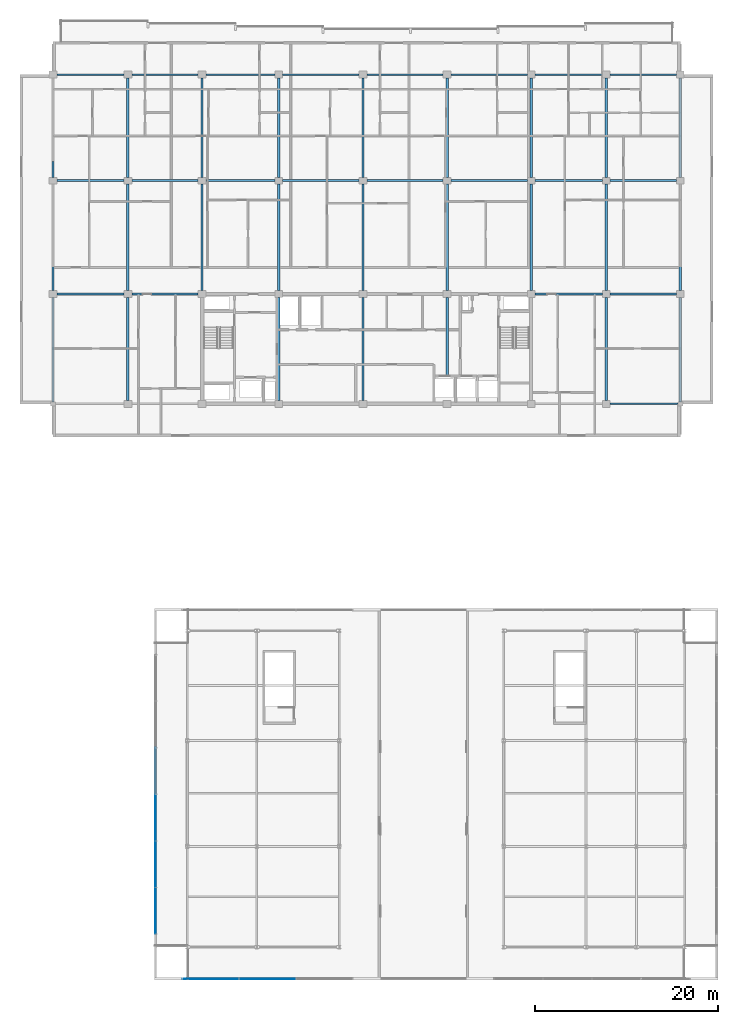
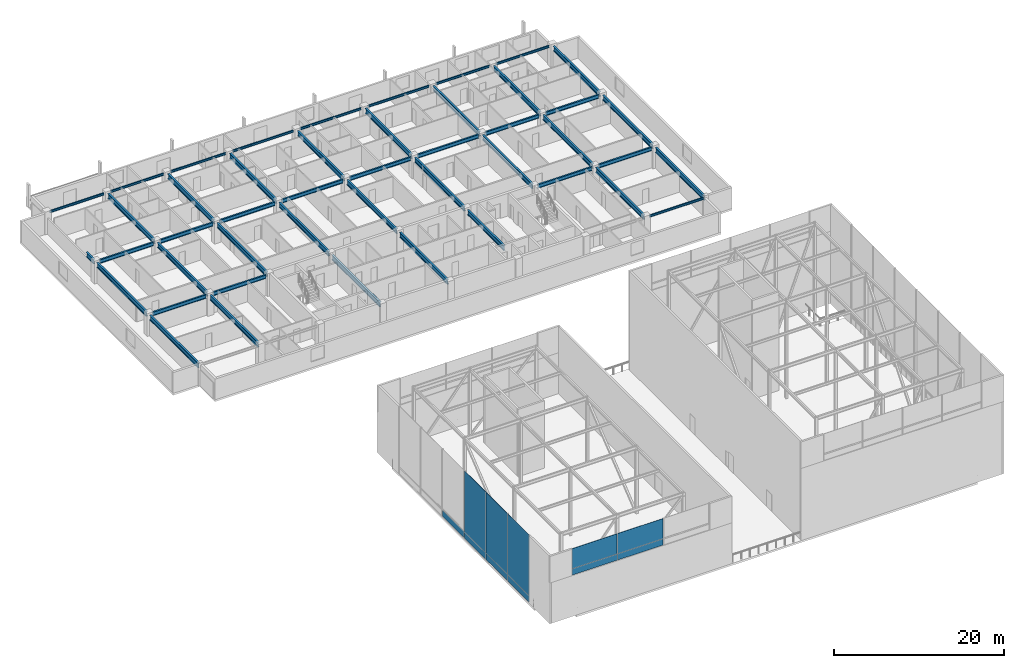
# One storey, part 29 of 42: 46 beams, 11 plates, 2 elements without a shape of their own.
"""IFC4 building model written with IfcOpenShell, lengths in metres."""

import ifcopenshell
import ifcopenshell.guid

model = None  # the IFC model being written
_history = None  # IfcOwnerHistory: only IFC2X3 demands one
_inside = {}  # id of a spatial element -> (the spatial element, [elements in it])
_under = {}  # id of a project, library or spatial element -> (it, [spatial elements below it])
_declared = {}  # id of a project -> (the project, [libraries it declares])
_typed = {}  # id of a type object -> (the type object, [elements of that type])
_made_of = {}  # id of a material, layer set ... -> (it, [elements and type objects made of it])


def new_model(schema):
    """Start an empty IFC model of exactly this schema.

    Asked for "IFC4X3", IfcOpenShell would pick the latest addendum, in which some entities
    have other attributes; the version numbers below select the first issue.
    IFC2X3 requires an IfcOwnerHistory on every rooted entity: one is made here for all.
    """
    global model, _history
    if schema == "IFC4X3":
        model = ifcopenshell.file(schema_version=(4, 3, 0, 0))
    else:
        model = ifcopenshell.file(schema=schema)
    _inside.clear()
    _under.clear()
    _declared.clear()
    _typed.clear()
    _made_of.clear()
    _history = None
    if model.schema == "IFC2X3":
        org = make("IfcOrganization", Name="unknown")
        user = make(
            "IfcPersonAndOrganization",
            ThePerson=make("IfcPerson", FamilyName="unknown"),
            TheOrganization=org,
        )
        app = make(
            "IfcApplication",
            ApplicationDeveloper=org,
            Version="unknown",
            ApplicationFullName="unknown",
            ApplicationIdentifier="unknown",
        )
        _history = make(
            "IfcOwnerHistory",
            OwningUser=user,
            OwningApplication=app,
            ChangeAction="ADDED",
            CreationDate=0,
        )
    return model


def make(cls, **values):
    """One entity of the class cls with the attributes given. An attribute that is None is left unset."""
    return model.create_entity(
        cls, **{name: value for name, value in values.items() if value is not None}
    )


def rooted(cls, **values):
    """An entity with a GlobalId (a new one), such as an element, a storey or a relation."""
    return make(cls, GlobalId=ifcopenshell.guid.new(), OwnerHistory=_history, **values)


def si_unit(unit_type, name, prefix=None):
    """IfcSIUnit, for example si_unit("LENGTHUNIT", "METRE", prefix="MILLI")."""
    return make("IfcSIUnit", UnitType=unit_type, Prefix=prefix, Name=name)


def assignment(units):
    """IfcUnitAssignment: the units of a project."""
    return None if units is None else make("IfcUnitAssignment", Units=units)


def point(xyz):
    """IfcCartesianPoint."""
    return None if xyz is None else make("IfcCartesianPoint", Coordinates=xyz)


def direction(xyz):
    """IfcDirection."""
    return None if xyz is None else make("IfcDirection", DirectionRatios=xyz)


def frame(location, z_axis=None, x_axis=None):
    """IfcAxis2Placement3D, a coordinate frame: its origin and axes. An axis left out is left unset."""
    return make(
        "IfcAxis2Placement3D",
        Location=point(location),
        Axis=direction(z_axis),
        RefDirection=direction(x_axis),
    )


def frame_2d(location, x_axis=None):
    """IfcAxis2Placement2D, a coordinate frame in the plane: its origin and x axis."""
    return make(
        "IfcAxis2Placement2D", Location=point(location), RefDirection=direction(x_axis)
    )


def origin():
    """The frame at (0, 0, 0) with its axes left unset."""
    return frame((0.0, 0.0, 0.0))


def origin_2d():
    """The frame at (0, 0) in the plane with its x axis left unset."""
    return frame_2d((0.0, 0.0))


def place(relative_to, where):
    """IfcLocalPlacement: puts the frame where relative to a parent placement (None: the world)."""
    return make(
        "IfcLocalPlacement", PlacementRelTo=relative_to, RelativePlacement=where
    )


def context(
    kind, dimensions, precision=None, world=None, true_north=None, identifier=None
):
    """IfcGeometricRepresentationContext, for example the 3D "Model" context."""
    return make(
        "IfcGeometricRepresentationContext",
        ContextIdentifier=identifier,
        ContextType=kind,
        CoordinateSpaceDimension=dimensions,
        Precision=precision,
        WorldCoordinateSystem=world,
        TrueNorth=true_north,
    )


def subcontext(parent, identifier, kind, view, scale=None):
    """IfcGeometricRepresentationSubContext, for example "Body" below "Model"."""
    return make(
        "IfcGeometricRepresentationSubContext",
        ContextIdentifier=identifier,
        ContextType=kind,
        ParentContext=parent,
        TargetScale=scale,
        TargetView=view,
    )


def project(units=None, contexts=None):
    """IfcProject with its units and contexts."""
    return rooted(
        "IfcProject",
        Name="project",
        RepresentationContexts=contexts,
        UnitsInContext=assignment(units),
    )


def spatial(cls, under=None, at=None, **own):
    """A site, building, storey or space (cls), placed at a placement, below another one or the project."""
    s = rooted(cls, ObjectPlacement=at, **own)
    if under is not None:
        _under.setdefault(under.id(), (under, []))[1].append(s)
    return s


def profile(cls, at=None, kind="AREA", **sizes):
    """A parametric profile (cls). Its sizes go by their IFC names, for example OverallWidth=200.0."""
    return make(cls, ProfileType=kind, Position=at, **sizes)


def rectangle(**sizes):
    """IfcRectangleProfileDef."""
    return profile("IfcRectangleProfileDef", **sizes)


def i_section(**sizes):
    """IfcIShapeProfileDef."""
    return profile("IfcIShapeProfileDef", **sizes)


def extrude(swept, where, along, depth):
    """IfcExtrudedAreaSolid: the profile swept, set in the frame where, extruded along a direction by depth."""
    return make(
        "IfcExtrudedAreaSolid",
        SweptArea=swept,
        Position=where,
        ExtrudedDirection=direction(along),
        Depth=depth,
    )


def shape(context_of_items, identifier, shape_type, items):
    """IfcShapeRepresentation: the items that make up one representation, for example the "Body"."""
    return make(
        "IfcShapeRepresentation",
        ContextOfItems=context_of_items,
        RepresentationIdentifier=identifier,
        RepresentationType=shape_type,
        Items=items,
    )


def material(Name=None, Category=None):
    """IfcMaterial."""
    return make("IfcMaterial", Name=Name, Category=Category)


def layer(
    of_material, thickness, ventilated=None, Name=None, Category=None, Priority=None
):
    """IfcMaterialLayer: one layer of a wall or slab, of a material (None: an air gap)."""
    return make(
        "IfcMaterialLayer",
        Material=of_material,
        LayerThickness=thickness,
        IsVentilated=ventilated,
        Name=Name,
        Category=Category,
        Priority=Priority,
    )


def layer_set(layers, Name=None):
    """IfcMaterialLayerSet."""
    return make("IfcMaterialLayerSet", MaterialLayers=layers, LayerSetName=Name)


def material_profile(
    of_material, cross_section, Name=None, Category=None, Priority=None
):
    """IfcMaterialProfile: a cross section and its material."""
    return make(
        "IfcMaterialProfile",
        Name=Name,
        Material=of_material,
        Profile=cross_section,
        Priority=Priority,
        Category=Category,
    )


def profile_set(profiles, Name=None, composite=None):
    """IfcMaterialProfileSet."""
    return make(
        "IfcMaterialProfileSet",
        Name=Name,
        MaterialProfiles=profiles,
        CompositeProfile=composite,
    )


def made_of(thing, what):
    """Note that an element or type object is made of a material, layer set ...; save() writes the relation."""
    if what is not None:
        _made_of.setdefault(what.id(), (what, []))[1].append(thing)
    return thing


def type_object(cls, material=None, **own):
    """A type object (cls), such as IfcWallType, which elements share."""
    return made_of(rooted(cls, **own), material)


def element(
    cls,
    number,
    at=None,
    inside=None,
    cuts=None,
    type_object=None,
    material=None,
    context=None,
    identifier="Body",
    shape_type=None,
    held_by="IfcProductDefinitionShape",
    body=None,
    shapes=None,
    **own,
):
    """One element of the class cls, such as IfcWall. Its Tag is "e" and its number.

    at: its placement. inside: the storey or other place that contains it. cuts: it is an
    opening in that element (IfcRelVoidsElement). A single representation is given by context,
    identifier, shape_type and body (its items); several are given by shapes. held_by: the class
    of the entity that holds the representations. save() writes the other relations.
    """
    e = rooted(cls, Tag="e%d" % number, ObjectPlacement=at, **own)
    if body is not None:
        shapes = [shape(context, identifier, shape_type, body)]
    if shapes is not None:
        e.Representation = make(held_by, Representations=shapes)
    if inside is not None:
        _inside.setdefault(inside.id(), (inside, []))[1].append(e)
    if cuts is not None:
        rooted(
            "IfcRelVoidsElement", RelatingBuildingElement=cuts, RelatedOpeningElement=e
        )
    if type_object is not None:
        _typed.setdefault(type_object.id(), (type_object, []))[1].append(e)
    return made_of(e, material)


def aggregate(whole, parts):
    """IfcRelAggregates: a whole, such as a stair, and the parts it consists of."""
    return rooted("IfcRelAggregates", RelatingObject=whole, RelatedObjects=parts)


def save(model, path):
    """Write the relations noted so far, then the file.

    IfcRelAggregates (storeys below a building ...), IfcRelContainedInSpatialStructure (elements
    in a storey), IfcRelDefinesByType, IfcRelAssociatesMaterial and IfcRelDeclares: one each for
    every whole, place, type object, material and project.
    """
    for whole, parts in _under.values():
        aggregate(whole, parts)
    for where, things in _inside.values():
        rooted(
            "IfcRelContainedInSpatialStructure",
            RelatedElements=things,
            RelatingStructure=where,
        )
    for kind, things in _typed.values():
        rooted("IfcRelDefinesByType", RelatedObjects=things, RelatingType=kind)
    for what, things in _made_of.values():
        rooted("IfcRelAssociatesMaterial", RelatedObjects=things, RelatingMaterial=what)
    for by, libraries in _declared.values():
        rooted("IfcRelDeclares", RelatingContext=by, RelatedDefinitions=libraries)
    model.write(path)


model = new_model("IFC4")

# Units and contexts
model_context = context("Model", 3, precision=1e-05, world=origin(), true_north=direction((0.0, 1.0)))
body_context = subcontext(model_context, "Body", "Model", "MODEL_VIEW")
ifc_project = project(units=[si_unit("LENGTHUNIT", "METRE"), si_unit("AREAUNIT", "SQUARE_METRE"), si_unit("VOLUMEUNIT", "CUBIC_METRE"), si_unit("PLANEANGLEUNIT", "RADIAN"), si_unit("MASSUNIT", "GRAM", prefix="KILO")], contexts=[model_context])

# Site, building, storey
site_placement = place(None, origin())
site = spatial("IfcSite", under=ifc_project, at=site_placement, CompositionType="ELEMENT")
building_placement = place(site_placement, origin())
building = spatial("IfcBuilding", under=site, at=building_placement, Name="Korimba Cascade Residences", CompositionType="ELEMENT")
storey_placement = place(building_placement, frame((0.0, 0.0, 207.60009765625)))
storey = spatial("IfcBuildingStorey", under=building, at=storey_placement, Name="L60", CompositionType="ELEMENT", Elevation=207.60009765625)

# Beams
ifc_material_1 = material(Name="Steel S355", Category="steel")
ifc_material_profile_1 = material_profile(ifc_material_1, i_section(OverallWidth=0.165771484375, OverallDepth=0.306640625, WebThickness=0.006591796875, FlangeThickness=0.01171875, FilletRadius=0.0087890625, at=origin_2d()), Name="Steel S355")
ifc_profile_set_1 = profile_set([ifc_material_profile_1], Name="Steel S355")
beam_type_1 = type_object("IfcBeamType", Name="BM-STL-UB305", PredefinedType="SPANDREL", material=ifc_profile_set_1)
beam_1_placement = place(storey_placement, frame((120.72509765625, 55.199951171875, 2.816650390625), z_axis=(1.0, 0.0, 0.0), x_axis=(0.0, 1.0, 0.0)))
element("IfcBeam", 1, at=beam_1_placement, inside=storey, type_object=beam_type_1, Name="L60 T1 E-W Girder Y1 Bay 8", PredefinedType="SPANDREL", context=body_context, shape_type="SweptSolid", body=[
    extrude(i_section(OverallWidth=0.165771484375, OverallDepth=0.306640625, WebThickness=0.006591796875, FlangeThickness=0.01171875, FilletRadius=0.0087890625, at=origin_2d()), origin(), (0.0, 0.0, 1.0), 7.39990234375),
])
beam_2_placement = place(storey_placement, frame((60.22509765625, 91.199951171875, 2.816650390625), z_axis=(1.0, 0.0, 0.0), x_axis=(0.0, 1.0, 0.0)))
element("IfcBeam", 2, at=beam_2_placement, inside=storey, type_object=beam_type_1, Name="L60 T1 E-W Girder Y4 Bay 1", PredefinedType="SPANDREL", context=body_context, shape_type="SweptSolid", body=[
    extrude(i_section(OverallWidth=0.165771484375, OverallDepth=0.306640625, WebThickness=0.006591796875, FlangeThickness=0.01171875, FilletRadius=0.0087890625, at=origin_2d()), origin(), (0.0, 0.0, 1.0), 7.349853515625),
])
beam_3_placement = place(storey_placement, frame((68.425048828125, 91.199951171875, 2.816650390625), z_axis=(1.0, 0.0, 0.0), x_axis=(0.0, 1.0, 0.0)))
element("IfcBeam", 3, at=beam_3_placement, inside=storey, type_object=beam_type_1, Name="L60 T1 E-W Girder Y4 Bay 2", PredefinedType="SPANDREL", context=body_context, shape_type="SweptSolid", body=[
    extrude(i_section(OverallWidth=0.165771484375, OverallDepth=0.306640625, WebThickness=0.006591796875, FlangeThickness=0.01171875, FilletRadius=0.0087890625, at=origin_2d()), origin(), (0.0, 0.0, 1.0), 7.25),
])
beam_4_placement = place(storey_placement, frame((76.52490234375, 91.199951171875, 2.816650390625), z_axis=(1.0, 0.0, 0.0), x_axis=(0.0, 1.0, 0.0)))
element("IfcBeam", 4, at=beam_4_placement, inside=storey, type_object=beam_type_1, Name="L60 T1 E-W Girder Y4 Bay 3", PredefinedType="SPANDREL", context=body_context, shape_type="SweptSolid", body=[
    extrude(i_section(OverallWidth=0.165771484375, OverallDepth=0.306640625, WebThickness=0.006591796875, FlangeThickness=0.01171875, FilletRadius=0.0087890625, at=origin_2d()), origin(), (0.0, 0.0, 1.0), 7.550048828125),
])
beam_5_placement = place(storey_placement, frame((84.925048828125, 91.199951171875, 2.816650390625), z_axis=(1.0, 0.0, 0.0), x_axis=(0.0, 1.0, 0.0)))
element("IfcBeam", 5, at=beam_5_placement, inside=storey, type_object=beam_type_1, Name="L60 T1 E-W Girder Y4 Bay 4", PredefinedType="SPANDREL", context=body_context, shape_type="SweptSolid", body=[
    extrude(i_section(OverallWidth=0.165771484375, OverallDepth=0.306640625, WebThickness=0.006591796875, FlangeThickness=0.01171875, FilletRadius=0.0087890625, at=origin_2d()), origin(), (0.0, 0.0, 1.0), 8.349853515625),
])
for number, where, z_axis, x_axis, name in (
    (6, (94.125, 91.199951171875, 2.816650390625), (1.0, 0.0, 0.0), (0.0, 1.0, 0.0), "L60 T1 E-W Girder Y4 Bay 5"),
    (7, (103.324951171875, 91.199951171875, 2.816650390625), (1.0, 0.0, 0.0), (0.0, 1.0, 0.0), "L60 T1 E-W Girder Y4 Bay 6"),
):
    element("IfcBeam", number, at=place(storey_placement, frame(where, z_axis=z_axis, x_axis=x_axis)), inside=storey, type_object=beam_type_1, Name=name, PredefinedType="SPANDREL", context=body_context, shape_type="SweptSolid", body=[
        extrude(i_section(OverallWidth=0.165771484375, OverallDepth=0.306640625, WebThickness=0.006591796875, FlangeThickness=0.01171875, FilletRadius=0.0087890625, at=origin_2d()), origin(), (0.0, 0.0, 1.0), 8.35009765625),
    ])
beam_6_placement = place(storey_placement, frame((112.52490234375, 91.199951171875, 2.816650390625), z_axis=(1.0, 0.0, 0.0), x_axis=(0.0, 1.0, 0.0)))
element("IfcBeam", 8, at=beam_6_placement, inside=storey, type_object=beam_type_1, Name="L60 T1 E-W Girder Y4 Bay 7", PredefinedType="SPANDREL", context=body_context, shape_type="SweptSolid", body=[
    extrude(i_section(OverallWidth=0.165771484375, OverallDepth=0.306640625, WebThickness=0.006591796875, FlangeThickness=0.01171875, FilletRadius=0.0087890625, at=origin_2d()), origin(), (0.0, 0.0, 1.0), 7.35009765625),
])
beam_7_placement = place(storey_placement, frame((120.72509765625, 91.199951171875, 2.816650390625), z_axis=(1.0, 0.0, 0.0), x_axis=(0.0, 1.0, 0.0)))
element("IfcBeam", 9, at=beam_7_placement, inside=storey, type_object=beam_type_1, Name="L60 T1 E-W Girder Y4 Bay 8", PredefinedType="SPANDREL", context=body_context, shape_type="SweptSolid", body=[
    extrude(i_section(OverallWidth=0.165771484375, OverallDepth=0.306640625, WebThickness=0.006591796875, FlangeThickness=0.01171875, FilletRadius=0.0087890625, at=origin_2d()), origin(), (0.0, 0.0, 1.0), 7.25),
])
ifc_material_profile_2 = material_profile(ifc_material_1, i_section(OverallWidth=0.2099609375, OverallDepth=0.53662109375, WebThickness=0.0107421875, FlangeThickness=0.017333984375, FilletRadius=0.0126953125, at=origin_2d()), Name="Steel S355")
ifc_profile_set_2 = profile_set([ifc_material_profile_2], Name="Steel S355")
beam_type_2 = type_object("IfcBeamType", Name="BM-STL-UB533", PredefinedType="BEAM", material=ifc_profile_set_2)
beam_8_placement = place(storey_placement, frame((60.22509765625, 67.199951171875, 2.701416015625), z_axis=(1.0, 0.0, 0.0), x_axis=(0.0, 1.0, 0.0)))
element("IfcBeam", 10, at=beam_8_placement, inside=storey, type_object=beam_type_2, Name="L60 T1 E-W Girder Y2 Bay 1", PredefinedType="BEAM", context=body_context, shape_type="SweptSolid", body=[
    extrude(i_section(OverallWidth=0.2099609375, OverallDepth=0.53662109375, WebThickness=0.0107421875, FlangeThickness=0.017333984375, FilletRadius=0.0126953125, at=origin_2d()), origin(), (0.0, 0.0, 1.0), 7.349853515625),
])
beam_9_placement = place(storey_placement, frame((68.425048828125, 67.199951171875, 2.701416015625), z_axis=(1.0, 0.0, 0.0), x_axis=(0.0, 1.0, 0.0)))
element("IfcBeam", 11, at=beam_9_placement, inside=storey, type_object=beam_type_2, Name="L60 T1 E-W Girder Y2 Bay 2", PredefinedType="BEAM", context=body_context, shape_type="SweptSolid", body=[
    extrude(i_section(OverallWidth=0.2099609375, OverallDepth=0.53662109375, WebThickness=0.0107421875, FlangeThickness=0.017333984375, FilletRadius=0.0126953125, at=origin_2d()), origin(), (0.0, 0.0, 1.0), 7.25),
])
beam_10_placement = place(storey_placement, frame((112.52490234375, 67.199951171875, 2.701416015625), z_axis=(1.0, 0.0, 0.0), x_axis=(0.0, 1.0, 0.0)))
element("IfcBeam", 12, at=beam_10_placement, inside=storey, type_object=beam_type_2, Name="L60 T1 E-W Girder Y2 Bay 7", PredefinedType="BEAM", context=body_context, shape_type="SweptSolid", body=[
    extrude(i_section(OverallWidth=0.2099609375, OverallDepth=0.53662109375, WebThickness=0.0107421875, FlangeThickness=0.017333984375, FilletRadius=0.0126953125, at=origin_2d()), origin(), (0.0, 0.0, 1.0), 7.35009765625),
])
beam_11_placement = place(storey_placement, frame((120.72509765625, 67.199951171875, 2.701416015625), z_axis=(1.0, 0.0, 0.0), x_axis=(0.0, 1.0, 0.0)))
element("IfcBeam", 13, at=beam_11_placement, inside=storey, type_object=beam_type_2, Name="L60 T1 E-W Girder Y2 Bay 8", PredefinedType="BEAM", context=body_context, shape_type="SweptSolid", body=[
    extrude(i_section(OverallWidth=0.2099609375, OverallDepth=0.53662109375, WebThickness=0.0107421875, FlangeThickness=0.017333984375, FilletRadius=0.0126953125, at=origin_2d()), origin(), (0.0, 0.0, 1.0), 7.25),
])
beam_12_placement = place(storey_placement, frame((60.22509765625, 79.60009765625, 2.701416015625), z_axis=(1.0, 0.0, 0.0), x_axis=(0.0, 1.0, 0.0)))
element("IfcBeam", 14, at=beam_12_placement, inside=storey, type_object=beam_type_2, Name="L60 T1 E-W Girder Y3 Bay 1", PredefinedType="BEAM", context=body_context, shape_type="SweptSolid", body=[
    extrude(i_section(OverallWidth=0.2099609375, OverallDepth=0.53662109375, WebThickness=0.0107421875, FlangeThickness=0.017333984375, FilletRadius=0.0126953125, at=origin_2d()), origin(), (0.0, 0.0, 1.0), 7.349853515625),
])
beam_13_placement = place(storey_placement, frame((68.425048828125, 79.60009765625, 2.701416015625), z_axis=(1.0, 0.0, 0.0), x_axis=(0.0, 1.0, 0.0)))
element("IfcBeam", 15, at=beam_13_placement, inside=storey, type_object=beam_type_2, Name="L60 T1 E-W Girder Y3 Bay 2", PredefinedType="BEAM", context=body_context, shape_type="SweptSolid", body=[
    extrude(i_section(OverallWidth=0.2099609375, OverallDepth=0.53662109375, WebThickness=0.0107421875, FlangeThickness=0.017333984375, FilletRadius=0.0126953125, at=origin_2d()), origin(), (0.0, 0.0, 1.0), 7.25),
])
beam_14_placement = place(storey_placement, frame((76.52490234375, 79.60009765625, 2.701416015625), z_axis=(1.0, 0.0, 0.0), x_axis=(0.0, 1.0, 0.0)))
element("IfcBeam", 16, at=beam_14_placement, inside=storey, type_object=beam_type_2, Name="L60 T1 E-W Girder Y3 Bay 3", PredefinedType="BEAM", context=body_context, shape_type="SweptSolid", body=[
    extrude(i_section(OverallWidth=0.2099609375, OverallDepth=0.53662109375, WebThickness=0.0107421875, FlangeThickness=0.017333984375, FilletRadius=0.0126953125, at=origin_2d()), origin(), (0.0, 0.0, 1.0), 7.550048828125),
])
beam_15_placement = place(storey_placement, frame((84.925048828125, 79.60009765625, 2.701416015625), z_axis=(1.0, 0.0, 0.0), x_axis=(0.0, 1.0, 0.0)))
element("IfcBeam", 17, at=beam_15_placement, inside=storey, type_object=beam_type_2, Name="L60 T1 E-W Girder Y3 Bay 4", PredefinedType="BEAM", context=body_context, shape_type="SweptSolid", body=[
    extrude(i_section(OverallWidth=0.2099609375, OverallDepth=0.53662109375, WebThickness=0.0107421875, FlangeThickness=0.017333984375, FilletRadius=0.0126953125, at=origin_2d()), origin(), (0.0, 0.0, 1.0), 8.349853515625),
])
for number, where, z_axis, x_axis, name in (
    (18, (94.125, 79.60009765625, 2.701416015625), (1.0, 0.0, 0.0), (0.0, 1.0, 0.0), "L60 T1 E-W Girder Y3 Bay 5"),
    (19, (103.324951171875, 79.60009765625, 2.701416015625), (1.0, 0.0, 0.0), (0.0, 1.0, 0.0), "L60 T1 E-W Girder Y3 Bay 6"),
):
    element("IfcBeam", number, at=place(storey_placement, frame(where, z_axis=z_axis, x_axis=x_axis)), inside=storey, type_object=beam_type_2, Name=name, PredefinedType="BEAM", context=body_context, shape_type="SweptSolid", body=[
        extrude(i_section(OverallWidth=0.2099609375, OverallDepth=0.53662109375, WebThickness=0.0107421875, FlangeThickness=0.017333984375, FilletRadius=0.0126953125, at=origin_2d()), origin(), (0.0, 0.0, 1.0), 8.35009765625),
    ])
beam_16_placement = place(storey_placement, frame((112.52490234375, 79.60009765625, 2.701416015625), z_axis=(1.0, 0.0, 0.0), x_axis=(0.0, 1.0, 0.0)))
element("IfcBeam", 20, at=beam_16_placement, inside=storey, type_object=beam_type_2, Name="L60 T1 E-W Girder Y3 Bay 7", PredefinedType="BEAM", context=body_context, shape_type="SweptSolid", body=[
    extrude(i_section(OverallWidth=0.2099609375, OverallDepth=0.53662109375, WebThickness=0.0107421875, FlangeThickness=0.017333984375, FilletRadius=0.0126953125, at=origin_2d()), origin(), (0.0, 0.0, 1.0), 7.35009765625),
])
beam_17_placement = place(storey_placement, frame((120.72509765625, 79.60009765625, 2.701416015625), z_axis=(1.0, 0.0, 0.0), x_axis=(0.0, 1.0, 0.0)))
element("IfcBeam", 21, at=beam_17_placement, inside=storey, type_object=beam_type_2, Name="L60 T1 E-W Girder Y3 Bay 8", PredefinedType="BEAM", context=body_context, shape_type="SweptSolid", body=[
    extrude(i_section(OverallWidth=0.2099609375, OverallDepth=0.53662109375, WebThickness=0.0107421875, FlangeThickness=0.017333984375, FilletRadius=0.0126953125, at=origin_2d()), origin(), (0.0, 0.0, 1.0), 7.25),
])
ifc_material_profile_3 = material_profile(ifc_material_1, i_section(OverallWidth=0.255859375, OverallDepth=0.69287109375, WebThickness=0.014404296875, FlangeThickness=0.023681640625, FilletRadius=0.01513671875, at=origin_2d()), Name="Steel S355")
ifc_profile_set_3 = profile_set([ifc_material_profile_3], Name="Steel S355")
beam_type_3 = type_object("IfcBeamType", Name="BM-STL-UB686", PredefinedType="BEAM", material=ifc_profile_set_3)
beam_18_placement = place(storey_placement, frame((59.800048828125, 55.425048828125, 2.623291015625), z_axis=(0.0, 1.0, 0.0), x_axis=(-1.0, 0.0, 0.0)))
element("IfcBeam", 22, at=beam_18_placement, inside=storey, type_object=beam_type_3, Name="L60 T1 N-S Girder X1 Seg 1", PredefinedType="BEAM", context=body_context, shape_type="SweptSolid", body=[
    extrude(i_section(OverallWidth=0.255859375, OverallDepth=0.69287109375, WebThickness=0.014404296875, FlangeThickness=0.023681640625, FilletRadius=0.01513671875, at=origin_2d()), origin(), (0.0, 0.0, 1.0), 11.39990234375),
])
beam_19_placement = place(storey_placement, frame((59.800048828125, 67.574951171875, 2.623291015625), z_axis=(0.0, 1.0, 0.0), x_axis=(-1.0, 0.0, 0.0)))
element("IfcBeam", 23, at=beam_19_placement, inside=storey, type_object=beam_type_3, Name="L60 T1 N-S Girder X1 Seg 2", PredefinedType="BEAM", context=body_context, shape_type="SweptSolid", body=[
    extrude(i_section(OverallWidth=0.255859375, OverallDepth=0.69287109375, WebThickness=0.014404296875, FlangeThickness=0.023681640625, FilletRadius=0.01513671875, at=origin_2d()), origin(), (0.0, 0.0, 1.0), 11.650146484375),
])
beam_20_placement = place(storey_placement, frame((59.800048828125, 79.97509765625, 2.623291015625), z_axis=(0.0, 1.0, 0.0), x_axis=(-1.0, 0.0, 0.0)))
element("IfcBeam", 24, at=beam_20_placement, inside=storey, type_object=beam_type_3, Name="L60 T1 N-S Girder X1 Seg 3", PredefinedType="BEAM", context=body_context, shape_type="SweptSolid", body=[
    extrude(i_section(OverallWidth=0.255859375, OverallDepth=0.69287109375, WebThickness=0.014404296875, FlangeThickness=0.023681640625, FilletRadius=0.01513671875, at=origin_2d()), origin(), (0.0, 0.0, 1.0), 1.724853515625),
])
beam_21_placement = place(storey_placement, frame((68.0, 55.574951171875, 2.623291015625), z_axis=(0.0, 1.0, 0.0), x_axis=(-1.0, 0.0, 0.0)))
element("IfcBeam", 25, at=beam_21_placement, inside=storey, type_object=beam_type_3, Name="L60 T1 N-S Girder X2 Seg 1", PredefinedType="BEAM", context=body_context, shape_type="SweptSolid", body=[
    extrude(i_section(OverallWidth=0.255859375, OverallDepth=0.69287109375, WebThickness=0.014404296875, FlangeThickness=0.023681640625, FilletRadius=0.01513671875, at=origin_2d()), origin(), (0.0, 0.0, 1.0), 11.25),
])
beam_22_placement = place(storey_placement, frame((68.0, 67.574951171875, 2.623291015625), z_axis=(0.0, 1.0, 0.0), x_axis=(-1.0, 0.0, 0.0)))
element("IfcBeam", 26, at=beam_22_placement, inside=storey, type_object=beam_type_3, Name="L60 T1 N-S Girder X2 Seg 2", PredefinedType="BEAM", context=body_context, shape_type="SweptSolid", body=[
    extrude(i_section(OverallWidth=0.255859375, OverallDepth=0.69287109375, WebThickness=0.014404296875, FlangeThickness=0.023681640625, FilletRadius=0.01513671875, at=origin_2d()), origin(), (0.0, 0.0, 1.0), 11.650146484375),
])
beam_23_placement = place(storey_placement, frame((68.0, 79.97509765625, 2.623291015625), z_axis=(0.0, 1.0, 0.0), x_axis=(-1.0, 0.0, 0.0)))
element("IfcBeam", 27, at=beam_23_placement, inside=storey, type_object=beam_type_3, Name="L60 T1 N-S Girder X2 Seg 3", PredefinedType="BEAM", context=body_context, shape_type="SweptSolid", body=[
    extrude(i_section(OverallWidth=0.255859375, OverallDepth=0.69287109375, WebThickness=0.014404296875, FlangeThickness=0.023681640625, FilletRadius=0.01513671875, at=origin_2d()), origin(), (0.0, 0.0, 1.0), 10.849853515625),
])
beam_24_placement = place(storey_placement, frame((76.10009765625, 67.574951171875, 2.623291015625), z_axis=(0.0, 1.0, 0.0), x_axis=(-1.0, 0.0, 0.0)))
element("IfcBeam", 28, at=beam_24_placement, inside=storey, type_object=beam_type_3, Name="L60 T1 N-S Girder X3 Seg 2", PredefinedType="BEAM", context=body_context, shape_type="SweptSolid", body=[
    extrude(i_section(OverallWidth=0.255859375, OverallDepth=0.69287109375, WebThickness=0.014404296875, FlangeThickness=0.023681640625, FilletRadius=0.01513671875, at=origin_2d()), origin(), (0.0, 0.0, 1.0), 11.650146484375),
])
beam_25_placement = place(storey_placement, frame((76.10009765625, 79.97509765625, 2.623291015625), z_axis=(0.0, 1.0, 0.0), x_axis=(-1.0, 0.0, 0.0)))
element("IfcBeam", 29, at=beam_25_placement, inside=storey, type_object=beam_type_3, Name="L60 T1 N-S Girder X3 Seg 3", PredefinedType="BEAM", context=body_context, shape_type="SweptSolid", body=[
    extrude(i_section(OverallWidth=0.255859375, OverallDepth=0.69287109375, WebThickness=0.014404296875, FlangeThickness=0.023681640625, FilletRadius=0.01513671875, at=origin_2d()), origin(), (0.0, 0.0, 1.0), 10.849853515625),
])
beam_26_placement = place(storey_placement, frame((84.5, 55.574951171875, 2.623291015625), z_axis=(0.0, 1.0, 0.0), x_axis=(-1.0, 0.0, 0.0)))
element("IfcBeam", 30, at=beam_26_placement, inside=storey, type_object=beam_type_3, Name="L60 T1 N-S Girder X4 Seg 1", PredefinedType="BEAM", context=body_context, shape_type="SweptSolid", body=[
    extrude(i_section(OverallWidth=0.255859375, OverallDepth=0.69287109375, WebThickness=0.014404296875, FlangeThickness=0.023681640625, FilletRadius=0.01513671875, at=origin_2d()), origin(), (0.0, 0.0, 1.0), 11.25),
])
beam_27_placement = place(storey_placement, frame((84.5, 67.574951171875, 2.623291015625), z_axis=(0.0, 1.0, 0.0), x_axis=(-1.0, 0.0, 0.0)))
element("IfcBeam", 31, at=beam_27_placement, inside=storey, type_object=beam_type_3, Name="L60 T1 N-S Girder X4 Seg 2", PredefinedType="BEAM", context=body_context, shape_type="SweptSolid", body=[
    extrude(i_section(OverallWidth=0.255859375, OverallDepth=0.69287109375, WebThickness=0.014404296875, FlangeThickness=0.023681640625, FilletRadius=0.01513671875, at=origin_2d()), origin(), (0.0, 0.0, 1.0), 11.650146484375),
])
beam_28_placement = place(storey_placement, frame((84.5, 79.97509765625, 2.623291015625), z_axis=(0.0, 1.0, 0.0), x_axis=(-1.0, 0.0, 0.0)))
element("IfcBeam", 32, at=beam_28_placement, inside=storey, type_object=beam_type_3, Name="L60 T1 N-S Girder X4 Seg 3", PredefinedType="BEAM", context=body_context, shape_type="SweptSolid", body=[
    extrude(i_section(OverallWidth=0.255859375, OverallDepth=0.69287109375, WebThickness=0.014404296875, FlangeThickness=0.023681640625, FilletRadius=0.01513671875, at=origin_2d()), origin(), (0.0, 0.0, 1.0), 10.849853515625),
])
beam_29_placement = place(storey_placement, frame((93.699951171875, 55.574951171875, 2.623291015625), z_axis=(0.0, 1.0, 0.0), x_axis=(-1.0, 0.0, 0.0)))
element("IfcBeam", 33, at=beam_29_placement, inside=storey, type_object=beam_type_3, Name="L60 T1 N-S Girder X5 Seg 1", PredefinedType="BEAM", context=body_context, shape_type="SweptSolid", body=[
    extrude(i_section(OverallWidth=0.255859375, OverallDepth=0.69287109375, WebThickness=0.014404296875, FlangeThickness=0.023681640625, FilletRadius=0.01513671875, at=origin_2d()), origin(), (0.0, 0.0, 1.0), 11.25),
])
beam_30_placement = place(storey_placement, frame((93.699951171875, 67.574951171875, 2.623291015625), z_axis=(0.0, 1.0, 0.0), x_axis=(-1.0, 0.0, 0.0)))
element("IfcBeam", 34, at=beam_30_placement, inside=storey, type_object=beam_type_3, Name="L60 T1 N-S Girder X5 Seg 2", PredefinedType="BEAM", context=body_context, shape_type="SweptSolid", body=[
    extrude(i_section(OverallWidth=0.255859375, OverallDepth=0.69287109375, WebThickness=0.014404296875, FlangeThickness=0.023681640625, FilletRadius=0.01513671875, at=origin_2d()), origin(), (0.0, 0.0, 1.0), 11.650146484375),
])
beam_31_placement = place(storey_placement, frame((93.699951171875, 79.97509765625, 2.623291015625), z_axis=(0.0, 1.0, 0.0), x_axis=(-1.0, 0.0, 0.0)))
element("IfcBeam", 35, at=beam_31_placement, inside=storey, type_object=beam_type_3, Name="L60 T1 N-S Girder X5 Seg 3", PredefinedType="BEAM", context=body_context, shape_type="SweptSolid", body=[
    extrude(i_section(OverallWidth=0.255859375, OverallDepth=0.69287109375, WebThickness=0.014404296875, FlangeThickness=0.023681640625, FilletRadius=0.01513671875, at=origin_2d()), origin(), (0.0, 0.0, 1.0), 10.849853515625),
])
beam_32_placement = place(storey_placement, frame((102.89990234375, 58.260009765625, 2.623291015625), z_axis=(0.0, 1.0, 0.0), x_axis=(-1.0, 0.0, 0.0)))
element("IfcBeam", 36, at=beam_32_placement, inside=storey, type_object=beam_type_3, Name="L60 T1 N-S Girder X6 Seg 1", PredefinedType="BEAM", context=body_context, shape_type="SweptSolid", body=[
    extrude(i_section(OverallWidth=0.255859375, OverallDepth=0.69287109375, WebThickness=0.014404296875, FlangeThickness=0.023681640625, FilletRadius=0.01513671875, at=origin_2d()), origin(), (0.0, 0.0, 1.0), 8.56494140625),
])
beam_33_placement = place(storey_placement, frame((102.89990234375, 67.574951171875, 2.623291015625), z_axis=(0.0, 1.0, 0.0), x_axis=(-1.0, 0.0, 0.0)))
element("IfcBeam", 37, at=beam_33_placement, inside=storey, type_object=beam_type_3, Name="L60 T1 N-S Girder X6 Seg 2", PredefinedType="BEAM", context=body_context, shape_type="SweptSolid", body=[
    extrude(i_section(OverallWidth=0.255859375, OverallDepth=0.69287109375, WebThickness=0.014404296875, FlangeThickness=0.023681640625, FilletRadius=0.01513671875, at=origin_2d()), origin(), (0.0, 0.0, 1.0), 11.650146484375),
])
beam_34_placement = place(storey_placement, frame((102.89990234375, 79.97509765625, 2.623291015625), z_axis=(0.0, 1.0, 0.0), x_axis=(-1.0, 0.0, 0.0)))
element("IfcBeam", 38, at=beam_34_placement, inside=storey, type_object=beam_type_3, Name="L60 T1 N-S Girder X6 Seg 3", PredefinedType="BEAM", context=body_context, shape_type="SweptSolid", body=[
    extrude(i_section(OverallWidth=0.255859375, OverallDepth=0.69287109375, WebThickness=0.014404296875, FlangeThickness=0.023681640625, FilletRadius=0.01513671875, at=origin_2d()), origin(), (0.0, 0.0, 1.0), 10.849853515625),
])
beam_35_placement = place(storey_placement, frame((112.10009765625, 67.574951171875, 2.623291015625), z_axis=(0.0, 1.0, 0.0), x_axis=(-1.0, 0.0, 0.0)))
element("IfcBeam", 39, at=beam_35_placement, inside=storey, type_object=beam_type_3, Name="L60 T1 N-S Girder X7 Seg 2", PredefinedType="BEAM", context=body_context, shape_type="SweptSolid", body=[
    extrude(i_section(OverallWidth=0.255859375, OverallDepth=0.69287109375, WebThickness=0.014404296875, FlangeThickness=0.023681640625, FilletRadius=0.01513671875, at=origin_2d()), origin(), (0.0, 0.0, 1.0), 11.650146484375),
])
beam_36_placement = place(storey_placement, frame((112.10009765625, 79.97509765625, 2.623291015625), z_axis=(0.0, 1.0, 0.0), x_axis=(-1.0, 0.0, 0.0)))
element("IfcBeam", 40, at=beam_36_placement, inside=storey, type_object=beam_type_3, Name="L60 T1 N-S Girder X7 Seg 3", PredefinedType="BEAM", context=body_context, shape_type="SweptSolid", body=[
    extrude(i_section(OverallWidth=0.255859375, OverallDepth=0.69287109375, WebThickness=0.014404296875, FlangeThickness=0.023681640625, FilletRadius=0.01513671875, at=origin_2d()), origin(), (0.0, 0.0, 1.0), 10.849853515625),
])
beam_37_placement = place(storey_placement, frame((120.300048828125, 55.574951171875, 2.623291015625), z_axis=(0.0, 1.0, 0.0), x_axis=(-1.0, 0.0, 0.0)))
element("IfcBeam", 41, at=beam_37_placement, inside=storey, type_object=beam_type_3, Name="L60 T1 N-S Girder X8 Seg 1", PredefinedType="BEAM", context=body_context, shape_type="SweptSolid", body=[
    extrude(i_section(OverallWidth=0.255859375, OverallDepth=0.69287109375, WebThickness=0.014404296875, FlangeThickness=0.023681640625, FilletRadius=0.01513671875, at=origin_2d()), origin(), (0.0, 0.0, 1.0), 11.25),
])
beam_38_placement = place(storey_placement, frame((120.300048828125, 67.574951171875, 2.623291015625), z_axis=(0.0, 1.0, 0.0), x_axis=(-1.0, 0.0, 0.0)))
element("IfcBeam", 42, at=beam_38_placement, inside=storey, type_object=beam_type_3, Name="L60 T1 N-S Girder X8 Seg 2", PredefinedType="BEAM", context=body_context, shape_type="SweptSolid", body=[
    extrude(i_section(OverallWidth=0.255859375, OverallDepth=0.69287109375, WebThickness=0.014404296875, FlangeThickness=0.023681640625, FilletRadius=0.01513671875, at=origin_2d()), origin(), (0.0, 0.0, 1.0), 11.650146484375),
])
beam_39_placement = place(storey_placement, frame((120.300048828125, 79.97509765625, 2.623291015625), z_axis=(0.0, 1.0, 0.0), x_axis=(-1.0, 0.0, 0.0)))
element("IfcBeam", 43, at=beam_39_placement, inside=storey, type_object=beam_type_3, Name="L60 T1 N-S Girder X8 Seg 3", PredefinedType="BEAM", context=body_context, shape_type="SweptSolid", body=[
    extrude(i_section(OverallWidth=0.255859375, OverallDepth=0.69287109375, WebThickness=0.014404296875, FlangeThickness=0.023681640625, FilletRadius=0.01513671875, at=origin_2d()), origin(), (0.0, 0.0, 1.0), 10.849853515625),
])
beam_40_placement = place(storey_placement, frame((128.39990234375, 55.425048828125, 2.623291015625), z_axis=(0.0, 1.0, 0.0), x_axis=(-1.0, 0.0, 0.0)))
element("IfcBeam", 44, at=beam_40_placement, inside=storey, type_object=beam_type_3, Name="L60 T1 N-S Girder X9 Seg 1", PredefinedType="BEAM", context=body_context, shape_type="SweptSolid", body=[
    extrude(i_section(OverallWidth=0.255859375, OverallDepth=0.69287109375, WebThickness=0.014404296875, FlangeThickness=0.023681640625, FilletRadius=0.01513671875, at=origin_2d()), origin(), (0.0, 0.0, 1.0), 11.39990234375),
])
beam_41_placement = place(storey_placement, frame((128.39990234375, 67.574951171875, 2.623291015625), z_axis=(0.0, 1.0, 0.0), x_axis=(-1.0, 0.0, 0.0)))
element("IfcBeam", 45, at=beam_41_placement, inside=storey, type_object=beam_type_3, Name="L60 T1 N-S Girder X9 Seg 2", PredefinedType="BEAM", context=body_context, shape_type="SweptSolid", body=[
    extrude(i_section(OverallWidth=0.255859375, OverallDepth=0.69287109375, WebThickness=0.014404296875, FlangeThickness=0.023681640625, FilletRadius=0.01513671875, at=origin_2d()), origin(), (0.0, 0.0, 1.0), 11.650146484375),
])
beam_42_placement = place(storey_placement, frame((128.39990234375, 79.97509765625, 2.623291015625), z_axis=(0.0, 1.0, 0.0), x_axis=(-1.0, 0.0, 0.0)))
element("IfcBeam", 46, at=beam_42_placement, inside=storey, type_object=beam_type_3, Name="L60 T1 N-S Girder X9 Seg 3", PredefinedType="BEAM", context=body_context, shape_type="SweptSolid", body=[
    extrude(i_section(OverallWidth=0.255859375, OverallDepth=0.69287109375, WebThickness=0.014404296875, FlangeThickness=0.023681640625, FilletRadius=0.01513671875, at=origin_2d()), origin(), (0.0, 0.0, 1.0), 10.849853515625),
])

# Curtain wall, plates
ifc_material_2 = material(Name="Anodised Aluminium Curtain Wall Framing", Category="aluminium")
ifc_layer_1 = layer(ifc_material_2, 0.179931640625)
ifc_layer_set_1 = layer_set([ifc_layer_1], Name="Anodised Aluminium Curtain Wall Framing")
curtain_wall_type = type_object("IfcCurtainWallType", Name="CW-CRNE-SYS6", PredefinedType="NOTDEFINED", material=ifc_layer_set_1)
curtain_wall_1_placement = place(storey_placement, origin())
curtain_wall_1 = element("IfcCurtainWall", 47, at=curtain_wall_1_placement, inside=storey, type_object=curtain_wall_type, Name="L60 Curtain Wall CW-L60-CRN-W-1", PredefinedType="NOTDEFINED")
ifc_material_3 = material(Name="Insulated Stone-Tone Spandrel Panel", Category="masonry")
ifc_layer_2 = layer(ifc_material_3, 0.0400390625)
ifc_layer_set_2 = layer_set([ifc_layer_2], Name="Insulated Stone-Tone Spandrel Panel")
plate_type_1 = type_object("IfcPlateType", Name="CWP-SPN-40", PredefinedType="USERDEFINED", material=ifc_layer_set_2)
plate_1_placement = place(storey_placement, frame((71.02490234375, -0.22998046875, 0.0), z_axis=(0.0, 0.0, 1.0), x_axis=(0.0, 1.0, 0.0)))
plate_1 = element("IfcPlate", 48, at=plate_1_placement, type_object=plate_type_1, Name="CW-L60-CRN-W-1 Spandrel Panel 1", ObjectType="SPANDREL", PredefinedType="USERDEFINED", context=body_context, shape_type="SweptSolid", body=[
    extrude(rectangle(XDim=5.010009765625, YDim=0.0400390625, at=origin_2d()), origin(), (0.0, 0.0, 1.0), 0.89990234375),
])
plate_2_placement = place(storey_placement, frame((71.02490234375, 4.85009765625, 0.0), z_axis=(0.0, 0.0, 1.0), x_axis=(0.0, 1.0, 0.0)))
plate_2 = element("IfcPlate", 49, at=plate_2_placement, type_object=plate_type_1, Name="CW-L60-CRN-W-1 Spandrel Panel 2", ObjectType="SPANDREL", PredefinedType="USERDEFINED", context=body_context, shape_type="SweptSolid", body=[
    extrude(rectangle(XDim=5.050048828125, YDim=0.0400390625, at=origin_2d()), origin(), (0.0, 0.0, 1.0), 0.89990234375),
])
plate_3_placement = place(storey_placement, frame((71.02490234375, 9.949951171875, 0.0), z_axis=(0.0, 0.0, 1.0), x_axis=(0.0, 1.0, 0.0)))
plate_3 = element("IfcPlate", 50, at=plate_3_placement, type_object=plate_type_1, Name="CW-L60-CRN-W-1 Spandrel Panel 3", ObjectType="SPANDREL", PredefinedType="USERDEFINED", context=body_context, shape_type="SweptSolid", body=[
    extrude(rectangle(XDim=5.050048828125, YDim=0.0400390625, at=origin_2d()), origin(), (0.0, 0.0, 1.0), 0.89990234375),
])
plate_4_placement = place(storey_placement, frame((71.02490234375, 15.050048828125, 0.0), z_axis=(0.0, 0.0, 1.0), x_axis=(0.0, 1.0, 0.0)))
plate_4 = element("IfcPlate", 51, at=plate_4_placement, type_object=plate_type_1, Name="CW-L60-CRN-W-1 Spandrel Panel 4", ObjectType="SPANDREL", PredefinedType="USERDEFINED", context=body_context, shape_type="SweptSolid", body=[
    extrude(rectangle(XDim=5.050048828125, YDim=0.0400390625, at=origin_2d()), origin(), (0.0, 0.0, 1.0), 0.89990234375),
])

curtain_wall_2_placement = place(storey_placement, origin())
curtain_wall_2 = element("IfcCurtainWall", 52, at=curtain_wall_2_placement, inside=storey, type_object=curtain_wall_type, Name="L60 Curtain Wall CW-L60-CRN-W-3", PredefinedType="NOTDEFINED")
plate_5_placement = place(storey_placement, frame((77.03662109375, -7.675048828125, 5.849853515625), z_axis=(0.0, 0.0, 1.0), x_axis=(1.0, 0.0, 0.0)))
plate_5 = element("IfcPlate", 53, at=plate_5_placement, type_object=plate_type_1, Name="CW-L60-CRN-W-3 Spandrel Panel 1", ObjectType="SPANDREL", PredefinedType="USERDEFINED", context=body_context, shape_type="SweptSolid", body=[
    extrude(rectangle(XDim=6.143310546875, YDim=0.0400390625, at=origin_2d()), origin(), (0.0, 0.0, 1.0), 0.89990234375),
])
plate_6_placement = place(storey_placement, frame((83.25, -7.675048828125, 5.849853515625), z_axis=(0.0, 0.0, 1.0), x_axis=(1.0, 0.0, 0.0)))
plate_6 = element("IfcPlate", 54, at=plate_6_placement, type_object=plate_type_1, Name="CW-L60-CRN-W-3 Spandrel Panel 2", ObjectType="SPANDREL", PredefinedType="USERDEFINED", context=body_context, shape_type="SweptSolid", body=[
    extrude(rectangle(XDim=6.183349609375, YDim=0.0400390625, at=origin_2d()), origin(), (0.0, 0.0, 1.0), 0.89990234375),
])

# Plate
ifc_material_4 = material(Name="Low-E Double Glazing Unit", Category="glass")
ifc_layer_3 = layer(ifc_material_4, 0.028076171875)
ifc_layer_set_3 = layer_set([ifc_layer_3], Name="Low-E Double Glazing Unit")
plate_type_2 = type_object("IfcPlateType", Name="CWP-VIS-28", PredefinedType="CURTAIN_PANEL", material=ifc_layer_set_3)
plate_7_placement = place(storey_placement, frame((71.02490234375, -0.22998046875, 0.89990234375), z_axis=(0.0, 0.0, 1.0), x_axis=(0.0, 1.0, 0.0)))
plate_7 = element("IfcPlate", 55, at=plate_7_placement, type_object=plate_type_2, Name="CW-L60-CRN-W-1 Vision Glass Panel 1", PredefinedType="CURTAIN_PANEL", context=body_context, shape_type="SweptSolid", body=[
    extrude(rectangle(XDim=5.010009765625, YDim=0.028076171875, at=origin_2d()), origin(), (0.0, 0.0, 1.0), 8.75),
])

plate_8_placement = place(storey_placement, frame((71.02490234375, 4.85009765625, 0.89990234375), z_axis=(0.0, 0.0, 1.0), x_axis=(0.0, 1.0, 0.0)))
plate_8 = element("IfcPlate", 56, at=plate_8_placement, type_object=plate_type_2, Name="CW-L60-CRN-W-1 Vision Glass Panel 2", PredefinedType="CURTAIN_PANEL", context=body_context, shape_type="SweptSolid", body=[
    extrude(rectangle(XDim=5.050048828125, YDim=0.028076171875, at=origin_2d()), origin(), (0.0, 0.0, 1.0), 8.75),
])

plate_9_placement = place(storey_placement, frame((71.02490234375, 9.949951171875, 0.89990234375), z_axis=(0.0, 0.0, 1.0), x_axis=(0.0, 1.0, 0.0)))
plate_9 = element("IfcPlate", 57, at=plate_9_placement, type_object=plate_type_2, Name="CW-L60-CRN-W-1 Vision Glass Panel 3", PredefinedType="CURTAIN_PANEL", context=body_context, shape_type="SweptSolid", body=[
    extrude(rectangle(XDim=5.050048828125, YDim=0.028076171875, at=origin_2d()), origin(), (0.0, 0.0, 1.0), 8.75),
])

aggregate(curtain_wall_1, [plate_1, plate_7, plate_2, plate_8, plate_3, plate_9, plate_4])

plate_10_placement = place(storey_placement, frame((77.03662109375, -7.675048828125, 6.75), z_axis=(0.0, 0.0, 1.0), x_axis=(1.0, 0.0, 0.0)))
plate_10 = element("IfcPlate", 58, at=plate_10_placement, type_object=plate_type_2, Name="CW-L60-CRN-W-3 Vision Glass Panel 1", PredefinedType="CURTAIN_PANEL", context=body_context, shape_type="SweptSolid", body=[
    extrude(rectangle(XDim=6.143310546875, YDim=0.028076171875, at=origin_2d()), origin(), (0.0, 0.0, 1.0), 2.89990234375),
])

plate_11_placement = place(storey_placement, frame((83.25, -7.675048828125, 6.75), z_axis=(0.0, 0.0, 1.0), x_axis=(1.0, 0.0, 0.0)))
plate_11 = element("IfcPlate", 59, at=plate_11_placement, type_object=plate_type_2, Name="CW-L60-CRN-W-3 Vision Glass Panel 2", PredefinedType="CURTAIN_PANEL", context=body_context, shape_type="SweptSolid", body=[
    extrude(rectangle(XDim=6.183349609375, YDim=0.028076171875, at=origin_2d()), origin(), (0.0, 0.0, 1.0), 2.89990234375),
])

aggregate(curtain_wall_2, [plate_5, plate_10, plate_6, plate_11])

save(model, "model.ifc")
